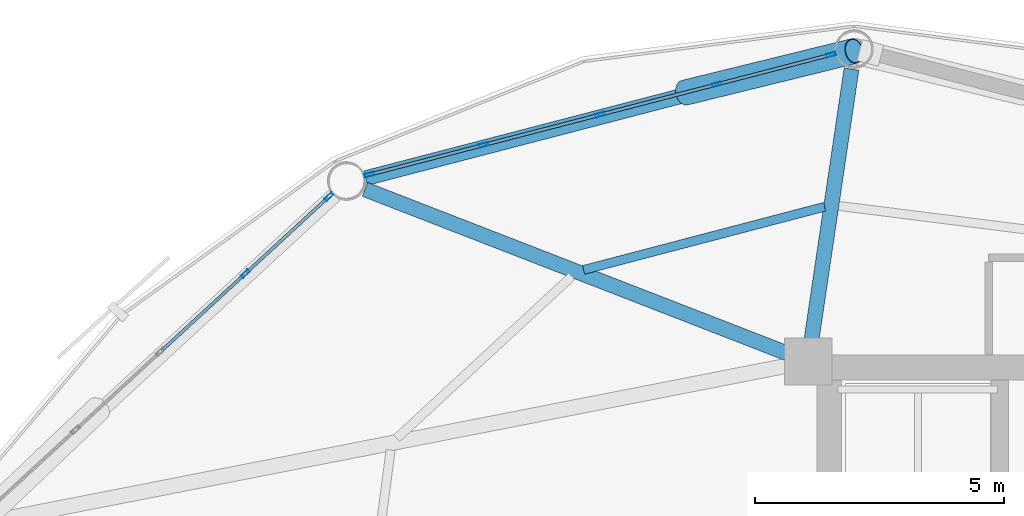
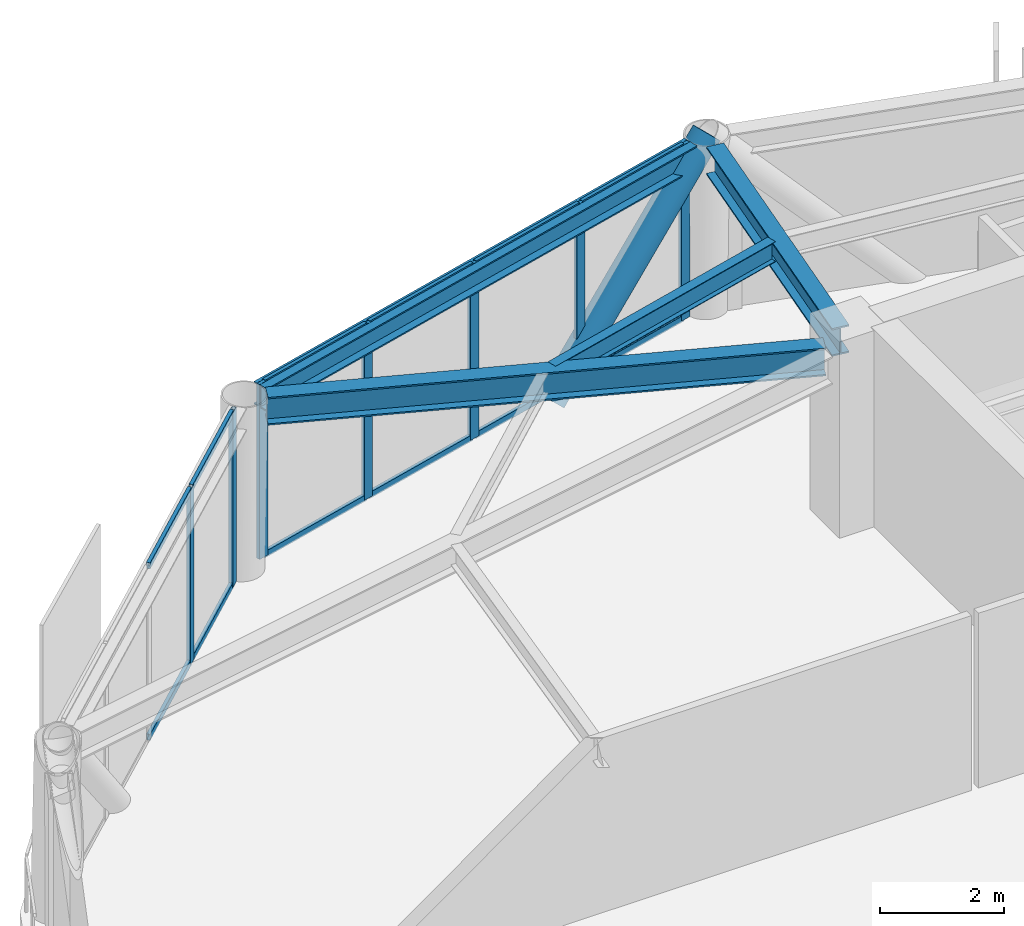
# One storey, part 18 of 26: 20 members, 4 beams, 2 elements without a shape of their own.
"""IFC4 building model written with IfcOpenShell, lengths in metres."""

import ifcopenshell
import ifcopenshell.guid

model = None  # the IFC model being written
_history = None  # IfcOwnerHistory: only IFC2X3 demands one
_inside = {}  # id of a spatial element -> (the spatial element, [elements in it])
_under = {}  # id of a project, library or spatial element -> (it, [spatial elements below it])
_declared = {}  # id of a project -> (the project, [libraries it declares])
_typed = {}  # id of a type object -> (the type object, [elements of that type])
_made_of = {}  # id of a material, layer set ... -> (it, [elements and type objects made of it])


def new_model(schema):
    """Start an empty IFC model of exactly this schema.

    Asked for "IFC4X3", IfcOpenShell would pick the latest addendum, in which some entities
    have other attributes; the version numbers below select the first issue.
    IFC2X3 requires an IfcOwnerHistory on every rooted entity: one is made here for all.
    """
    global model, _history
    if schema == "IFC4X3":
        model = ifcopenshell.file(schema_version=(4, 3, 0, 0))
    else:
        model = ifcopenshell.file(schema=schema)
    _inside.clear()
    _under.clear()
    _declared.clear()
    _typed.clear()
    _made_of.clear()
    _history = None
    if model.schema == "IFC2X3":
        org = make("IfcOrganization", Name="unknown")
        user = make(
            "IfcPersonAndOrganization",
            ThePerson=make("IfcPerson", FamilyName="unknown"),
            TheOrganization=org,
        )
        app = make(
            "IfcApplication",
            ApplicationDeveloper=org,
            Version="unknown",
            ApplicationFullName="unknown",
            ApplicationIdentifier="unknown",
        )
        _history = make(
            "IfcOwnerHistory",
            OwningUser=user,
            OwningApplication=app,
            ChangeAction="ADDED",
            CreationDate=0,
        )
    return model


def make(cls, **values):
    """One entity of the class cls with the attributes given. An attribute that is None is left unset."""
    return model.create_entity(
        cls, **{name: value for name, value in values.items() if value is not None}
    )


def rooted(cls, **values):
    """An entity with a GlobalId (a new one), such as an element, a storey or a relation."""
    return make(cls, GlobalId=ifcopenshell.guid.new(), OwnerHistory=_history, **values)


def si_unit(unit_type, name, prefix=None):
    """IfcSIUnit, for example si_unit("LENGTHUNIT", "METRE", prefix="MILLI")."""
    return make("IfcSIUnit", UnitType=unit_type, Prefix=prefix, Name=name)


def assignment(units):
    """IfcUnitAssignment: the units of a project."""
    return None if units is None else make("IfcUnitAssignment", Units=units)


def point(xyz):
    """IfcCartesianPoint."""
    return None if xyz is None else make("IfcCartesianPoint", Coordinates=xyz)


def direction(xyz):
    """IfcDirection."""
    return None if xyz is None else make("IfcDirection", DirectionRatios=xyz)


def frame(location, z_axis=None, x_axis=None):
    """IfcAxis2Placement3D, a coordinate frame: its origin and axes. An axis left out is left unset."""
    return make(
        "IfcAxis2Placement3D",
        Location=point(location),
        Axis=direction(z_axis),
        RefDirection=direction(x_axis),
    )


def frame_2d(location, x_axis=None):
    """IfcAxis2Placement2D, a coordinate frame in the plane: its origin and x axis."""
    return make(
        "IfcAxis2Placement2D", Location=point(location), RefDirection=direction(x_axis)
    )


def origin():
    """The frame at (0, 0, 0) with its axes left unset."""
    return frame((0.0, 0.0, 0.0))


def origin_2d():
    """The frame at (0, 0) in the plane with its x axis left unset."""
    return frame_2d((0.0, 0.0))


def place(relative_to, where):
    """IfcLocalPlacement: puts the frame where relative to a parent placement (None: the world)."""
    return make(
        "IfcLocalPlacement", PlacementRelTo=relative_to, RelativePlacement=where
    )


def context(
    kind, dimensions, precision=None, world=None, true_north=None, identifier=None
):
    """IfcGeometricRepresentationContext, for example the 3D "Model" context."""
    return make(
        "IfcGeometricRepresentationContext",
        ContextIdentifier=identifier,
        ContextType=kind,
        CoordinateSpaceDimension=dimensions,
        Precision=precision,
        WorldCoordinateSystem=world,
        TrueNorth=true_north,
    )


def subcontext(parent, identifier, kind, view, scale=None):
    """IfcGeometricRepresentationSubContext, for example "Body" below "Model"."""
    return make(
        "IfcGeometricRepresentationSubContext",
        ContextIdentifier=identifier,
        ContextType=kind,
        ParentContext=parent,
        TargetScale=scale,
        TargetView=view,
    )


def project(units=None, contexts=None):
    """IfcProject with its units and contexts."""
    return rooted(
        "IfcProject",
        Name="project",
        RepresentationContexts=contexts,
        UnitsInContext=assignment(units),
    )


def spatial(cls, under=None, at=None, **own):
    """A site, building, storey or space (cls), placed at a placement, below another one or the project."""
    s = rooted(cls, ObjectPlacement=at, **own)
    if under is not None:
        _under.setdefault(under.id(), (under, []))[1].append(s)
    return s


def profile(cls, at=None, kind="AREA", **sizes):
    """A parametric profile (cls). Its sizes go by their IFC names, for example OverallWidth=200.0."""
    return make(cls, ProfileType=kind, Position=at, **sizes)


def hollow_rectangle(**sizes):
    """IfcRectangleHollowProfileDef."""
    return profile("IfcRectangleHollowProfileDef", **sizes)


def hollow_circle(**sizes):
    """IfcCircleHollowProfileDef."""
    return profile("IfcCircleHollowProfileDef", **sizes)


def i_section(**sizes):
    """IfcIShapeProfileDef."""
    return profile("IfcIShapeProfileDef", **sizes)


def extrude(swept, where, along, depth):
    """IfcExtrudedAreaSolid: the profile swept, set in the frame where, extruded along a direction by depth."""
    return make(
        "IfcExtrudedAreaSolid",
        SweptArea=swept,
        Position=where,
        ExtrudedDirection=direction(along),
        Depth=depth,
    )


def shape(context_of_items, identifier, shape_type, items):
    """IfcShapeRepresentation: the items that make up one representation, for example the "Body"."""
    return make(
        "IfcShapeRepresentation",
        ContextOfItems=context_of_items,
        RepresentationIdentifier=identifier,
        RepresentationType=shape_type,
        Items=items,
    )


def material(Name=None, Category=None):
    """IfcMaterial."""
    return make("IfcMaterial", Name=Name, Category=Category)


def layer(
    of_material, thickness, ventilated=None, Name=None, Category=None, Priority=None
):
    """IfcMaterialLayer: one layer of a wall or slab, of a material (None: an air gap)."""
    return make(
        "IfcMaterialLayer",
        Material=of_material,
        LayerThickness=thickness,
        IsVentilated=ventilated,
        Name=Name,
        Category=Category,
        Priority=Priority,
    )


def layer_set(layers, Name=None):
    """IfcMaterialLayerSet."""
    return make("IfcMaterialLayerSet", MaterialLayers=layers, LayerSetName=Name)


def material_profile(
    of_material, cross_section, Name=None, Category=None, Priority=None
):
    """IfcMaterialProfile: a cross section and its material."""
    return make(
        "IfcMaterialProfile",
        Name=Name,
        Material=of_material,
        Profile=cross_section,
        Priority=Priority,
        Category=Category,
    )


def profile_set(profiles, Name=None, composite=None):
    """IfcMaterialProfileSet."""
    return make(
        "IfcMaterialProfileSet",
        Name=Name,
        MaterialProfiles=profiles,
        CompositeProfile=composite,
    )


def made_of(thing, what):
    """Note that an element or type object is made of a material, layer set ...; save() writes the relation."""
    if what is not None:
        _made_of.setdefault(what.id(), (what, []))[1].append(thing)
    return thing


def type_object(cls, material=None, **own):
    """A type object (cls), such as IfcWallType, which elements share."""
    return made_of(rooted(cls, **own), material)


def element(
    cls,
    number,
    at=None,
    inside=None,
    cuts=None,
    type_object=None,
    material=None,
    context=None,
    identifier="Body",
    shape_type=None,
    held_by="IfcProductDefinitionShape",
    body=None,
    shapes=None,
    **own,
):
    """One element of the class cls, such as IfcWall. Its Tag is "e" and its number.

    at: its placement. inside: the storey or other place that contains it. cuts: it is an
    opening in that element (IfcRelVoidsElement). A single representation is given by context,
    identifier, shape_type and body (its items); several are given by shapes. held_by: the class
    of the entity that holds the representations. save() writes the other relations.
    """
    e = rooted(cls, Tag="e%d" % number, ObjectPlacement=at, **own)
    if body is not None:
        shapes = [shape(context, identifier, shape_type, body)]
    if shapes is not None:
        e.Representation = make(held_by, Representations=shapes)
    if inside is not None:
        _inside.setdefault(inside.id(), (inside, []))[1].append(e)
    if cuts is not None:
        rooted(
            "IfcRelVoidsElement", RelatingBuildingElement=cuts, RelatedOpeningElement=e
        )
    if type_object is not None:
        _typed.setdefault(type_object.id(), (type_object, []))[1].append(e)
    return made_of(e, material)


def aggregate(whole, parts):
    """IfcRelAggregates: a whole, such as a stair, and the parts it consists of."""
    return rooted("IfcRelAggregates", RelatingObject=whole, RelatedObjects=parts)


def save(model, path):
    """Write the relations noted so far, then the file.

    IfcRelAggregates (storeys below a building ...), IfcRelContainedInSpatialStructure (elements
    in a storey), IfcRelDefinesByType, IfcRelAssociatesMaterial and IfcRelDeclares: one each for
    every whole, place, type object, material and project.
    """
    for whole, parts in _under.values():
        aggregate(whole, parts)
    for where, things in _inside.values():
        rooted(
            "IfcRelContainedInSpatialStructure",
            RelatedElements=things,
            RelatingStructure=where,
        )
    for kind, things in _typed.values():
        rooted("IfcRelDefinesByType", RelatedObjects=things, RelatingType=kind)
    for what, things in _made_of.values():
        rooted("IfcRelAssociatesMaterial", RelatedObjects=things, RelatingMaterial=what)
    for by, libraries in _declared.values():
        rooted("IfcRelDeclares", RelatingContext=by, RelatedDefinitions=libraries)
    model.write(path)


model = new_model("IFC4")

# Units and contexts
model_context = context("Model", 3, precision=1e-05, world=origin(), true_north=direction((0.0, 1.0)))
body_context = subcontext(model_context, "Body", "Model", "MODEL_VIEW")
ifc_project = project(units=[si_unit("LENGTHUNIT", "METRE"), si_unit("AREAUNIT", "SQUARE_METRE"), si_unit("VOLUMEUNIT", "CUBIC_METRE"), si_unit("PLANEANGLEUNIT", "RADIAN"), si_unit("MASSUNIT", "GRAM", prefix="KILO")], contexts=[model_context])

# Site, building, storey
site_placement = place(None, origin())
site = spatial("IfcSite", under=ifc_project, at=site_placement, CompositionType="ELEMENT")
building_placement = place(site_placement, origin())
building = spatial("IfcBuilding", under=site, at=building_placement, Name="Varnakorn Sky Granary", CompositionType="ELEMENT")
storey_placement = place(building_placement, frame((0.0, 0.0, 165.60009765625)))
storey = spatial("IfcBuildingStorey", under=building, at=storey_placement, Name="L41", CompositionType="ELEMENT", Elevation=165.60009765625)

# Beams
ifc_material_1 = material(Name="Steel S355JR", Category="steel")
ifc_material_profile_1 = material_profile(ifc_material_1, i_section(OverallWidth=0.300048828125, OverallDepth=0.550048828125, WebThickness=0.014892578125, FlangeThickness=0.029052734375, at=origin_2d()), Name="HE 550 B")
ifc_profile_set_1 = profile_set([ifc_material_profile_1], Name="Steel S355JR")
beam_type_1 = type_object("IfcBeamType", Name="BM-RAD-Z3", PredefinedType="BEAM", material=ifc_profile_set_1)
beam_1_placement = place(storey_placement, frame((-2.358642578125, 13.035400390625, 3.1748046875), z_axis=(0.146089508716, 0.989271376035, 0.0), x_axis=(-0.989271376035, 0.146089508716, 0.0)))
element("IfcBeam", 1, at=beam_1_placement, inside=storey, type_object=beam_type_1, Name="Radial Floor Girder RG04 L41", PredefinedType="BEAM", context=body_context, shape_type="SweptSolid", body=[
    extrude(i_section(OverallWidth=0.300048828125, OverallDepth=0.550048828125, WebThickness=0.014892578125, FlangeThickness=0.029052734375, at=origin_2d()), origin(), (0.0, 0.0, 1.0), 5.511474609375),
])
beam_2_placement = place(storey_placement, frame((-2.8115234375, 12.772216796875, 3.1748046875), z_axis=(-0.932170292291, 0.362020090837, 0.0), x_axis=(-0.362020090837, -0.932170292291, 0.0)))
element("IfcBeam", 2, at=beam_2_placement, inside=storey, type_object=beam_type_1, Name="Radial Floor Girder RG05 L41", PredefinedType="BEAM", context=body_context, shape_type="SweptSolid", body=[
    extrude(i_section(OverallWidth=0.300048828125, OverallDepth=0.550048828125, WebThickness=0.014892578125, FlangeThickness=0.029052734375, at=origin_2d()), origin(), (0.0, 0.0, 1.0), 9.123779296875),
])
ifc_material_profile_2 = material_profile(ifc_material_1, i_section(OverallWidth=0.179931640625, OverallDepth=0.39990234375, WebThickness=0.008544921875, FlangeThickness=0.013427734375, at=origin_2d()), Name="IPE 400")
ifc_profile_set_2 = profile_set([ifc_material_profile_2], Name="Steel S355JR")
beam_type_2 = type_object("IfcBeamType", Name="BM-SEC-Z3", PredefinedType="BEAM", material=ifc_profile_set_2)
beam_3_placement = place(storey_placement, frame((-2.091552734375, 15.726318359375, 3.25), z_axis=(-0.967346574906, -0.253457302157, 0.0), x_axis=(0.253457302157, -0.967346574906, 0.0)))
element("IfcBeam", 3, at=beam_3_placement, inside=storey, type_object=beam_type_2, Name="Secondary Floor Chord Beam MSB04 L41", PredefinedType="BEAM", context=body_context, shape_type="SweptSolid", body=[
    extrude(i_section(OverallWidth=0.179931640625, OverallDepth=0.39990234375, WebThickness=0.008544921875, FlangeThickness=0.013427734375, at=origin_2d()), origin(), (0.0, 0.0, 1.0), 5.000244140625),
])
ifc_material_profile_3 = material_profile(ifc_material_1, i_section(OverallWidth=0.300048828125, OverallDepth=0.449951171875, WebThickness=0.013916015625, FlangeThickness=0.02587890625, at=origin_2d()), Name="HE 450 B")
ifc_profile_set_3 = profile_set([ifc_material_profile_3], Name="Steel S355JR")
beam_type_3 = type_object("IfcBeamType", Name="BM-SPD-Z3", PredefinedType="SPANDREL", material=ifc_profile_set_3)
beam_4_placement = place(storey_placement, frame((-1.854248046875, 18.7578125, 3.224853515625), z_axis=(-0.967790710414, -0.251756113801, 0.0), x_axis=(0.251756113801, -0.967790710414, 0.0)))
element("IfcBeam", 4, at=beam_4_placement, inside=storey, type_object=beam_type_3, Name="Perimeter Spandrel Ring Beam RB04 L41", PredefinedType="SPANDREL", context=body_context, shape_type="SweptSolid", body=[
    extrude(i_section(OverallWidth=0.300048828125, OverallDepth=0.449951171875, WebThickness=0.013916015625, FlangeThickness=0.02587890625, at=origin_2d()), origin(), (0.0, 0.0, 1.0), 9.763427734375),
])

# Curtain wall, members
ifc_material_2 = material(Name="Anodised Bronze Aluminium Alloy 6063-T6", Category="aluminium")
ifc_layer = layer(ifc_material_2, 0.179931640625, Name="Anodised Bronze Aluminium Alloy 6063-T6")
ifc_layer_set = layer_set([ifc_layer], Name="Anodised Bronze Aluminium Alloy 6063-T6")
curtain_wall_type = type_object("IfcCurtainWallType", Name="CW-FRM-2", PredefinedType="USERDEFINED", material=ifc_layer_set)
curtain_wall_1_placement = place(storey_placement, origin())
curtain_wall_1 = element("IfcCurtainWall", 5, at=curtain_wall_1_placement, inside=storey, type_object=curtain_wall_type, Name="Unitised Curtain Wall CW4 CW-L41-B04", ObjectType="CURTAIN WALL", PredefinedType="USERDEFINED")
ifc_material_profile_4 = material_profile(ifc_material_2, hollow_rectangle(XDim=0.070068359375, YDim=0.18505859375, WallThickness=0.00390625, at=origin_2d()), Name="ALU MULL 70x185")
ifc_profile_set_4 = profile_set([ifc_material_profile_4], Name="Anodised Bronze Aluminium Alloy 6063-T6")
member_type_1 = type_object("IfcMemberType", Name="CW-FRM-2-MULL", PredefinedType="MULLION", material=ifc_profile_set_4)
member_1_placement = place(storey_placement, frame((-11.230224609375, 16.368896484375, 0.0), z_axis=(0.0, 0.0, 1.0), x_axis=(-0.251563558768, 0.967840780242, 0.0)))
member_1 = element("IfcMember", 6, at=member_1_placement, type_object=member_type_1, Name="CW4 mullion 1", PredefinedType="MULLION", context=body_context, shape_type="SweptSolid", body=[
    extrude(hollow_rectangle(XDim=0.070068359375, YDim=0.18505859375, WallThickness=0.00390625, at=origin_2d()), origin(), (0.0, 0.0, 1.0), 3.449951171875),
])
member_2_placement = place(storey_placement, frame((-8.929931640625, 16.966796875, 0.0), z_axis=(0.0, 0.0, 1.0), x_axis=(-0.251563558768, 0.967840780242, 0.0)))
member_2 = element("IfcMember", 7, at=member_2_placement, type_object=member_type_1, Name="CW4 mullion 2", PredefinedType="MULLION", context=body_context, shape_type="SweptSolid", body=[
    extrude(hollow_rectangle(XDim=0.070068359375, YDim=0.18505859375, WallThickness=0.00390625, at=origin_2d()), origin(), (0.0, 0.0, 1.0), 3.449951171875),
])
member_3_placement = place(storey_placement, frame((-6.595458984375, 17.573486328125, 0.0), z_axis=(0.0, 0.0, 1.0), x_axis=(-0.251563558768, 0.967840780242, 0.0)))
member_3 = element("IfcMember", 8, at=member_3_placement, type_object=member_type_1, Name="CW4 mullion 3", PredefinedType="MULLION", context=body_context, shape_type="SweptSolid", body=[
    extrude(hollow_rectangle(XDim=0.070068359375, YDim=0.18505859375, WallThickness=0.00390625, at=origin_2d()), origin(), (0.0, 0.0, 1.0), 3.449951171875),
])
member_4_placement = place(storey_placement, frame((-4.26123046875, 18.180419921875, 0.0), z_axis=(0.0, 0.0, 1.0), x_axis=(-0.251563558768, 0.967840780242, 0.0)))
member_4 = element("IfcMember", 9, at=member_4_placement, type_object=member_type_1, Name="CW4 mullion 4", PredefinedType="MULLION", context=body_context, shape_type="SweptSolid", body=[
    extrude(hollow_rectangle(XDim=0.070068359375, YDim=0.18505859375, WallThickness=0.00390625, at=origin_2d()), origin(), (0.0, 0.0, 1.0), 3.449951171875),
])
member_5_placement = place(storey_placement, frame((-1.960693359375, 18.7783203125, 0.0), z_axis=(0.0, 0.0, 1.0), x_axis=(-0.251563558768, 0.967840780242, 0.0)))
member_5 = element("IfcMember", 10, at=member_5_placement, type_object=member_type_1, Name="CW4 mullion 5", PredefinedType="MULLION", context=body_context, shape_type="SweptSolid", body=[
    extrude(hollow_rectangle(XDim=0.070068359375, YDim=0.18505859375, WallThickness=0.00390625, at=origin_2d()), origin(), (0.0, 0.0, 1.0), 3.449951171875),
])

curtain_wall_2_placement = place(storey_placement, origin())
curtain_wall_2 = element("IfcCurtainWall", 11, at=curtain_wall_2_placement, inside=storey, type_object=curtain_wall_type, Name="Unitised Curtain Wall CW4 CW-L41-B05", ObjectType="CURTAIN WALL", PredefinedType="USERDEFINED")
member_6_placement = place(storey_placement, frame((-13.71826171875, 14.3828125, 0.0), z_axis=(0.0, 0.0, 1.0), x_axis=(-0.677284882962, 0.735720862359, 0.0)))
member_6 = element("IfcMember", 12, at=member_6_placement, type_object=member_type_1, Name="CW4 mullion 4", PredefinedType="MULLION", context=body_context, shape_type="SweptSolid", body=[
    extrude(hollow_rectangle(XDim=0.070068359375, YDim=0.18505859375, WallThickness=0.00390625, at=origin_2d()), origin(), (0.0, 0.0, 1.0), 3.449951171875),
])
member_7_placement = place(storey_placement, frame((-12.041259765625, 15.9267578125, 0.0), z_axis=(0.0, 0.0, 1.0), x_axis=(-0.677284882962, 0.735720862359, 0.0)))
member_7 = element("IfcMember", 13, at=member_7_placement, type_object=member_type_1, Name="CW4 mullion 5", PredefinedType="MULLION", context=body_context, shape_type="SweptSolid", body=[
    extrude(hollow_rectangle(XDim=0.070068359375, YDim=0.18505859375, WallThickness=0.00390625, at=origin_2d()), origin(), (0.0, 0.0, 1.0), 3.449951171875),
])

# Member
ifc_material_profile_5 = material_profile(ifc_material_2, hollow_rectangle(XDim=0.06494140625, YDim=0.1201171875, WallThickness=0.00341796875, at=origin_2d()), Name="ALU TRAN 65x120")
ifc_profile_set_5 = profile_set([ifc_material_profile_5], Name="Anodised Bronze Aluminium Alloy 6063-T6")
member_type_2 = type_object("IfcMemberType", Name="CW-FRM-2-TRAN", PredefinedType="USERDEFINED", material=ifc_profile_set_5)
member_8_placement = place(storey_placement, frame((-11.196533203125, 16.377685546875, 0.032470703125), z_axis=(0.967847242791, 0.251538694086, 0.0), x_axis=(-0.251538694086, 0.967847242791, 0.0)))
member_8 = element("IfcMember", 14, at=member_8_placement, type_object=member_type_2, Name="CW4 transom 1.1", ObjectType="TRANSOM", PredefinedType="USERDEFINED", context=body_context, shape_type="SweptSolid", body=[
    extrude(hollow_rectangle(XDim=0.06494140625, YDim=0.1201171875, WallThickness=0.00341796875, at=origin_2d()), origin(), (0.0, 0.0, 1.0), 2.30712890625),
])

member_9_placement = place(storey_placement, frame((-11.196533203125, 16.377685546875, 3.41748046875), z_axis=(0.967847242791, 0.251538694086, 0.0), x_axis=(-0.251538694086, 0.967847242791, 0.0)))
member_9 = element("IfcMember", 15, at=member_9_placement, type_object=member_type_2, Name="CW4 transom 1.2", ObjectType="TRANSOM", PredefinedType="USERDEFINED", context=body_context, shape_type="SweptSolid", body=[
    extrude(hollow_rectangle(XDim=0.06494140625, YDim=0.1201171875, WallThickness=0.00341796875, at=origin_2d()), origin(), (0.0, 0.0, 1.0), 2.30712890625),
])

member_10_placement = place(storey_placement, frame((-8.89599609375, 16.9755859375, 0.032470703125), z_axis=(0.967843829549, 0.251551826874, 0.0), x_axis=(-0.251551826874, 0.967843829549, 0.0)))
member_10 = element("IfcMember", 16, at=member_10_placement, type_object=member_type_2, Name="CW4 transom 2.1", ObjectType="TRANSOM", PredefinedType="USERDEFINED", context=body_context, shape_type="SweptSolid", body=[
    extrude(hollow_rectangle(XDim=0.06494140625, YDim=0.1201171875, WallThickness=0.00341796875, at=origin_2d()), origin(), (0.0, 0.0, 1.0), 2.341796875),
])

member_11_placement = place(storey_placement, frame((-8.89599609375, 16.9755859375, 3.41748046875), z_axis=(0.967843829549, 0.251551826874, 0.0), x_axis=(-0.251551826874, 0.967843829549, 0.0)))
member_11 = element("IfcMember", 17, at=member_11_placement, type_object=member_type_2, Name="CW4 transom 2.2", ObjectType="TRANSOM", PredefinedType="USERDEFINED", context=body_context, shape_type="SweptSolid", body=[
    extrude(hollow_rectangle(XDim=0.06494140625, YDim=0.1201171875, WallThickness=0.00341796875, at=origin_2d()), origin(), (0.0, 0.0, 1.0), 2.341796875),
])

member_12_placement = place(storey_placement, frame((-6.5615234375, 17.58251953125, 0.032470703125), z_axis=(0.967843829549, 0.251551826874, 0.0), x_axis=(-0.251551826874, 0.967843829549, 0.0)))
member_12 = element("IfcMember", 18, at=member_12_placement, type_object=member_type_2, Name="CW4 transom 3.1", ObjectType="TRANSOM", PredefinedType="USERDEFINED", context=body_context, shape_type="SweptSolid", body=[
    extrude(hollow_rectangle(XDim=0.06494140625, YDim=0.1201171875, WallThickness=0.00341796875, at=origin_2d()), origin(), (0.0, 0.0, 1.0), 2.341796875),
])

member_13_placement = place(storey_placement, frame((-6.5615234375, 17.58251953125, 3.41748046875), z_axis=(0.967843829549, 0.251551826874, 0.0), x_axis=(-0.251551826874, 0.967843829549, 0.0)))
member_13 = element("IfcMember", 19, at=member_13_placement, type_object=member_type_2, Name="CW4 transom 3.2", ObjectType="TRANSOM", PredefinedType="USERDEFINED", context=body_context, shape_type="SweptSolid", body=[
    extrude(hollow_rectangle(XDim=0.06494140625, YDim=0.1201171875, WallThickness=0.00341796875, at=origin_2d()), origin(), (0.0, 0.0, 1.0), 2.341796875),
])

member_14_placement = place(storey_placement, frame((-4.227294921875, 18.189208984375, 0.032470703125), z_axis=(0.967840546228, 0.251564459091, 0.0), x_axis=(-0.251564459091, 0.967840546228, 0.0)))
member_14 = element("IfcMember", 20, at=member_14_placement, type_object=member_type_2, Name="CW4 transom 4.1", ObjectType="TRANSOM", PredefinedType="USERDEFINED", context=body_context, shape_type="SweptSolid", body=[
    extrude(hollow_rectangle(XDim=0.06494140625, YDim=0.1201171875, WallThickness=0.00341796875, at=origin_2d()), origin(), (0.0, 0.0, 1.0), 2.306884765625),
])

member_15_placement = place(storey_placement, frame((-4.227294921875, 18.189208984375, 3.41748046875), z_axis=(0.967840546228, 0.251564459091, 0.0), x_axis=(-0.251564459091, 0.967840546228, 0.0)))
member_15 = element("IfcMember", 21, at=member_15_placement, type_object=member_type_2, Name="CW4 transom 4.2", ObjectType="TRANSOM", PredefinedType="USERDEFINED", context=body_context, shape_type="SweptSolid", body=[
    extrude(hollow_rectangle(XDim=0.06494140625, YDim=0.1201171875, WallThickness=0.00341796875, at=origin_2d()), origin(), (0.0, 0.0, 1.0), 2.306884765625),
])

aggregate(curtain_wall_1, [member_1, member_2, member_3, member_4, member_5, member_8, member_9, member_10, member_11, member_12, member_13, member_14, member_15])

member_16_placement = place(storey_placement, frame((-15.3955078125, 12.839111328125, 0.032470703125), z_axis=(0.735761886195, 0.677240316891, 0.0), x_axis=(-0.677240316891, 0.735761886195, 0.0)))
member_16 = element("IfcMember", 22, at=member_16_placement, type_object=member_type_2, Name="CW4 transom 3.1", ObjectType="TRANSOM", PredefinedType="USERDEFINED", context=body_context, shape_type="SweptSolid", body=[
    extrude(hollow_rectangle(XDim=0.06494140625, YDim=0.1201171875, WallThickness=0.00341796875, at=origin_2d()), origin(), (0.0, 0.0, 1.0), 2.244384765625),
])

member_17_placement = place(storey_placement, frame((-15.3955078125, 12.839111328125, 3.41748046875), z_axis=(0.735761886195, 0.677240316891, 0.0), x_axis=(-0.677240316891, 0.735761886195, 0.0)))
member_17 = element("IfcMember", 23, at=member_17_placement, type_object=member_type_2, Name="CW4 transom 3.2", ObjectType="TRANSOM", PredefinedType="USERDEFINED", context=body_context, shape_type="SweptSolid", body=[
    extrude(hollow_rectangle(XDim=0.06494140625, YDim=0.1201171875, WallThickness=0.00341796875, at=origin_2d()), origin(), (0.0, 0.0, 1.0), 2.244384765625),
])

member_18_placement = place(storey_placement, frame((-13.692626953125, 14.40673828125, 0.032470703125), z_axis=(0.735781242448, 0.677219287425, 0.0), x_axis=(-0.677219287425, 0.735781242448, 0.0)))
member_18 = element("IfcMember", 24, at=member_18_placement, type_object=member_type_2, Name="CW4 transom 4.1", ObjectType="TRANSOM", PredefinedType="USERDEFINED", context=body_context, shape_type="SweptSolid", body=[
    extrude(hollow_rectangle(XDim=0.06494140625, YDim=0.1201171875, WallThickness=0.00341796875, at=origin_2d()), origin(), (0.0, 0.0, 1.0), 2.20947265625),
])

member_19_placement = place(storey_placement, frame((-13.692626953125, 14.40673828125, 3.41748046875), z_axis=(0.735781242448, 0.677219287425, 0.0), x_axis=(-0.677219287425, 0.735781242448, 0.0)))
member_19 = element("IfcMember", 25, at=member_19_placement, type_object=member_type_2, Name="CW4 transom 4.2", ObjectType="TRANSOM", PredefinedType="USERDEFINED", context=body_context, shape_type="SweptSolid", body=[
    extrude(hollow_rectangle(XDim=0.06494140625, YDim=0.1201171875, WallThickness=0.00341796875, at=origin_2d()), origin(), (0.0, 0.0, 1.0), 2.20947265625),
])

aggregate(curtain_wall_2, [member_6, member_7, member_16, member_17, member_18, member_19])

ifc_material_3 = material(Name="Steel S460M", Category="steel")
ifc_material_profile_6 = material_profile(ifc_material_3, hollow_circle(Radius=0.25390625, WallThickness=0.01806640625, at=origin_2d()), Name="CHS 508x18")
ifc_profile_set_6 = profile_set([ifc_material_profile_6], Name="Steel S460M")
member_type_3 = type_object("IfcMemberType", Name="MB-DIAG-T2", PredefinedType="BRACE", material=ifc_profile_set_6)
member_20_placement = place(storey_placement, frame((-4.89697265625, 18.01513671875, -0.130126953125), z_axis=(0.678668169832, 0.166813651058, 0.715250110854), x_axis=(-0.238691018718, 0.971095565628, 0.0)))
element("IfcMember", 26, at=member_20_placement, inside=storey, type_object=member_type_3, Name="Perimeter CHS Diagrid Brace DG04 L41", PredefinedType="BRACE", context=body_context, shape_type="SweptSolid", body=[
    extrude(hollow_circle(Radius=0.25390625, WallThickness=0.01806640625, at=origin_2d()), origin(), (0.0, 0.0, 1.0), 5.00537109375),
])

save(model, "model.ifc")
